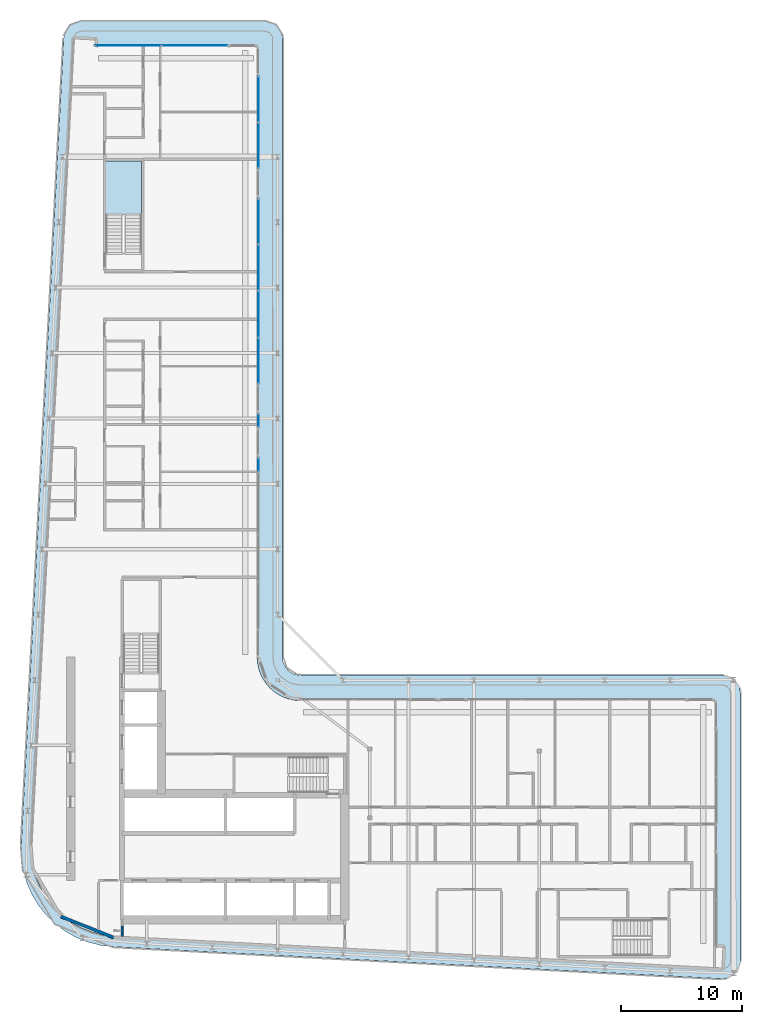
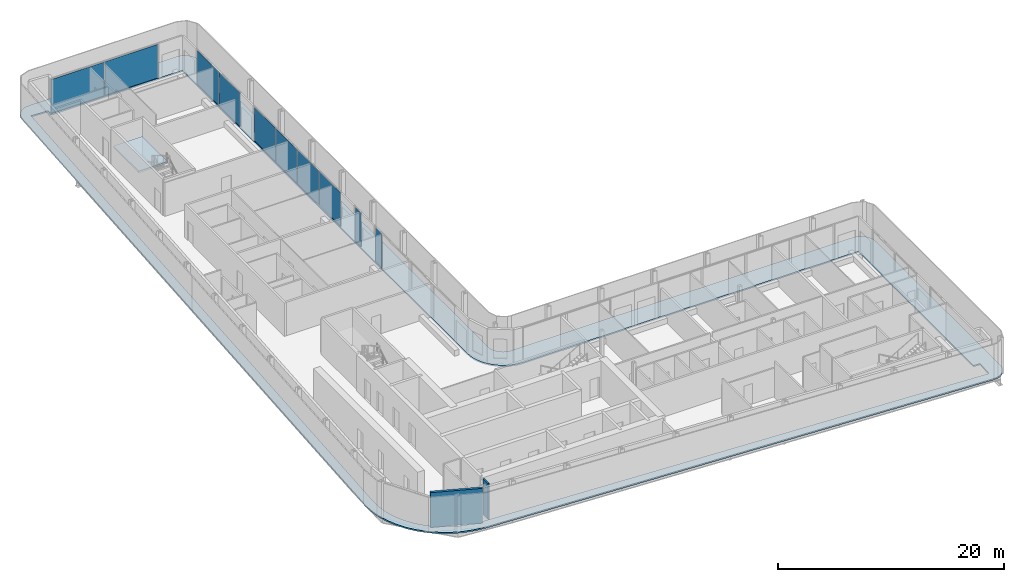
# One storey, part 9 of 23: 10 plates, 2 slabs, 2 walls, 7 elements without a shape of their own.
"""IFC4 building model written with IfcOpenShell, lengths in metres."""

from ifc_helpers import new_model, si_unit, direction, frame, frame_2d, origin, origin_2d, place, context, subcontext, project, spatial, polyline, rectangle, outline, extrude, material, layer, layer_set, type_object, element, aggregate, save


model = new_model("IFC4")

# Units and contexts
model_context = context("Model", 3, precision=1e-05, world=origin(), true_north=direction((0.0, 1.0)))
body_context = subcontext(model_context, "Body", "Model", "MODEL_VIEW")
ifc_project = project(units=[si_unit("LENGTHUNIT", "METRE"), si_unit("AREAUNIT", "SQUARE_METRE"), si_unit("VOLUMEUNIT", "CUBIC_METRE"), si_unit("PLANEANGLEUNIT", "RADIAN"), si_unit("MASSUNIT", "GRAM", prefix="KILO")], contexts=[model_context])

# Site, building, storey
site_placement = place(None, origin())
site = spatial("IfcSite", under=ifc_project, at=site_placement, CompositionType="ELEMENT")
building_placement = place(site_placement, origin())
building = spatial("IfcBuilding", under=site, at=building_placement, Name="Kheshtan School and Residences Tower", CompositionType="ELEMENT")
storey_placement = place(building_placement, frame((0.0, 0.0, 247.39990234375)))
storey = spatial("IfcBuildingStorey", under=building, at=storey_placement, Name="L58", CompositionType="ELEMENT", Elevation=247.39990234375)

# Curtain wall, plates
ifc_material_1 = material(Name="Clear low-e glass in thermally broken aluminium frame", Category="aluminium")
ifc_layer_1 = layer(ifc_material_1, 0.199951171875)
ifc_layer_set_1 = layer_set([ifc_layer_1], Name="Curtain wall CW-L")
curtain_wall_type = type_object("IfcCurtainWallType", Name="Curtain wall CW-L", PredefinedType="NOTDEFINED", material=ifc_layer_set_1)
curtain_wall_1_placement = place(storey_placement, origin())
curtain_wall_1 = element("IfcCurtainWall", 1, at=curtain_wall_1_placement, inside=storey, type_object=curtain_wall_type, Name="Curtain wall CWL7", PredefinedType="NOTDEFINED")
ifc_layer_2 = layer(ifc_material_1, 0.031982421875)
ifc_layer_set_2 = layer_set([ifc_layer_2], Name="CW-L glass panel")
plate_type = type_object("IfcPlateType", Name="CW-L glass panel", PredefinedType="CURTAIN_PANEL", material=ifc_layer_set_2)
plate_1_placement = place(storey_placement, frame((35.259033203125, 98.0, 0.000244140625), z_axis=(0.0, 0.0, 1.0), x_axis=(1.0, 0.0, 0.0)))
plate_1 = element("IfcPlate", 2, at=plate_1_placement, type_object=plate_type, Name="CWL7 panel 1.1", PredefinedType="CURTAIN_PANEL", context=body_context, shape_type="SweptSolid", body=[
    extrude(rectangle(XDim=5.4140625, YDim=0.031982421875, at=origin_2d()), origin(), (0.0, 0.0, 1.0), 3.6298828125),
])
plate_2_placement = place(storey_placement, frame((40.73291015625, 98.0, 0.000244140625), z_axis=(0.0, 0.0, 1.0), x_axis=(1.0, 0.0, 0.0)))
plate_2 = element("IfcPlate", 3, at=plate_2_placement, type_object=plate_type, Name="CWL7 panel 2.1", PredefinedType="CURTAIN_PANEL", context=body_context, shape_type="SweptSolid", body=[
    extrude(rectangle(XDim=5.4140625, YDim=0.031982421875, at=origin_2d()), origin(), (0.0, 0.0, 1.0), 3.6298828125),
])
aggregate(curtain_wall_1, [plate_1, plate_2])

curtain_wall_2_placement = place(storey_placement, origin())
curtain_wall_2 = element("IfcCurtainWall", 4, at=curtain_wall_2_placement, inside=storey, type_object=curtain_wall_type, Name="Curtain wall CWL8", PredefinedType="NOTDEFINED")
plate_3_placement = place(storey_placement, frame((46.0, 93.5615234375, 0.000244140625), z_axis=(0.0, 0.0, 1.0), x_axis=(0.0, -1.0, 0.0)))
plate_3 = element("IfcPlate", 5, at=plate_3_placement, type_object=plate_type, Name="CWL8 panel 1.1", PredefinedType="CURTAIN_PANEL", context=body_context, shape_type="SweptSolid", body=[
    extrude(rectangle(XDim=3.757080078125, YDim=0.031982421875, at=origin_2d()), origin(), (0.0, 0.0, 1.0), 3.6298828125),
])
plate_4_placement = place(storey_placement, frame((46.0, 89.744384765625, 0.000244140625), z_axis=(0.0, 0.0, 1.0), x_axis=(0.0, -1.0, 0.0)))
plate_4 = element("IfcPlate", 6, at=plate_4_placement, type_object=plate_type, Name="CWL8 panel 2.1", PredefinedType="CURTAIN_PANEL", context=body_context, shape_type="SweptSolid", body=[
    extrude(rectangle(XDim=3.757080078125, YDim=0.031982421875, at=origin_2d()), origin(), (0.0, 0.0, 1.0), 3.6298828125),
])
aggregate(curtain_wall_2, [plate_3, plate_4])

curtain_wall_3_placement = place(storey_placement, origin())
curtain_wall_3 = element("IfcCurtainWall", 7, at=curtain_wall_3_placement, inside=storey, type_object=curtain_wall_type, Name="Curtain wall CWL8", PredefinedType="NOTDEFINED")
plate_5_placement = place(storey_placement, frame((46.0, 83.467529296875, 0.000244140625), z_axis=(0.0, 0.0, 1.0), x_axis=(0.0, -1.0, 0.0)))
plate_5 = element("IfcPlate", 8, at=plate_5_placement, type_object=plate_type, Name="CWL8 panel 1.1", PredefinedType="CURTAIN_PANEL", context=body_context, shape_type="SweptSolid", body=[
    extrude(rectangle(XDim=3.757080078125, YDim=0.031982421875, at=origin_2d()), origin(), (0.0, 0.0, 1.0), 3.6298828125),
])
plate_6_placement = place(storey_placement, frame((46.0, 79.650390625, 0.000244140625), z_axis=(0.0, 0.0, 1.0), x_axis=(0.0, -1.0, 0.0)))
plate_6 = element("IfcPlate", 9, at=plate_6_placement, type_object=plate_type, Name="CWL8 panel 2.1", PredefinedType="CURTAIN_PANEL", context=body_context, shape_type="SweptSolid", body=[
    extrude(rectangle(XDim=3.757080078125, YDim=0.031982421875, at=origin_2d()), origin(), (0.0, 0.0, 1.0), 3.6298828125),
])
aggregate(curtain_wall_3, [plate_5, plate_6])

curtain_wall_4_placement = place(storey_placement, origin())
curtain_wall_4 = element("IfcCurtainWall", 10, at=curtain_wall_4_placement, inside=storey, type_object=curtain_wall_type, Name="Curtain wall CWL8", PredefinedType="NOTDEFINED")
plate_7_placement = place(storey_placement, frame((46.0, 75.803466796875, 0.000244140625), z_axis=(0.0, 0.0, 1.0), x_axis=(0.0, -1.0, 0.0)))
plate_7 = element("IfcPlate", 11, at=plate_7_placement, type_object=plate_type, Name="CWL8 panel 1.1", PredefinedType="CURTAIN_PANEL", context=body_context, shape_type="SweptSolid", body=[
    extrude(rectangle(XDim=3.81689453125, YDim=0.031982421875, at=origin_2d()), origin(), (0.0, 0.0, 1.0), 3.6298828125),
])
plate_8_placement = place(storey_placement, frame((46.0, 71.95654296875, 0.000244140625), z_axis=(0.0, 0.0, 1.0), x_axis=(0.0, -1.0, 0.0)))
plate_8 = element("IfcPlate", 12, at=plate_8_placement, type_object=plate_type, Name="CWL8 panel 2.1", PredefinedType="CURTAIN_PANEL", context=body_context, shape_type="SweptSolid", body=[
    extrude(rectangle(XDim=3.757080078125, YDim=0.031982421875, at=origin_2d()), origin(), (0.0, 0.0, 1.0), 3.6298828125),
])
aggregate(curtain_wall_4, [plate_7, plate_8])

# Curtain wall, plate
curtain_wall_5_placement = place(storey_placement, origin())
curtain_wall_5 = element("IfcCurtainWall", 13, at=curtain_wall_5_placement, inside=storey, type_object=curtain_wall_type, Name="Curtain wall CWL8g", PredefinedType="NOTDEFINED")
plate_9_placement = place(storey_placement, frame((46.0, 67.01806640625, 0.000244140625), z_axis=(0.0, 0.0, 1.0), x_axis=(0.0, -1.0, 0.0)))
plate_9 = element("IfcPlate", 14, at=plate_9_placement, type_object=plate_type, Name="CWL8g panel 1.1", PredefinedType="CURTAIN_PANEL", context=body_context, shape_type="SweptSolid", body=[
    extrude(rectangle(XDim=1.080078125, YDim=0.031982421875, at=origin_2d()), origin(), (0.0, 0.0, 1.0), 3.6298828125),
])
aggregate(curtain_wall_5, [plate_9])

curtain_wall_6_placement = place(storey_placement, origin())
curtain_wall_6 = element("IfcCurtainWall", 15, at=curtain_wall_6_placement, inside=storey, type_object=curtain_wall_type, Name="Curtain wall CWL8k", PredefinedType="NOTDEFINED")
plate_10_placement = place(storey_placement, frame((46.0, 63.39404296875, 0.000244140625), z_axis=(0.0, 0.0, 1.0), x_axis=(0.0, -1.0, 0.0)))
plate_10 = element("IfcPlate", 16, at=plate_10_placement, type_object=plate_type, Name="CWL8k panel 1.1", PredefinedType="CURTAIN_PANEL", context=body_context, shape_type="SweptSolid", body=[
    extrude(rectangle(XDim=1.1279296875, YDim=0.031982421875, at=origin_2d()), origin(), (0.0, 0.0, 1.0), 3.6298828125),
])
aggregate(curtain_wall_6, [plate_10])

# Slab
ifc_material_2 = material(Name="Concrete C40/50", Category="concrete")
ifc_layer_3 = layer(ifc_material_2, 0.14990234375)
ifc_layer_set_3 = layer_set([ifc_layer_3], Name="Loggia balcony slab 150 Concrete C40/50")
slab_type_1 = type_object("IfcSlabType", Name="Loggia balcony slab 150 Concrete C40/50", PredefinedType="FLOOR", material=ifc_layer_set_3)
slab_1_placement = place(storey_placement, frame((0.0, 0.0, -0.14990234375)))
element("IfcSlab", 17, at=slab_1_placement, inside=storey, type_object=slab_type_1, Name="Loggia balcony slab L58", PredefinedType="FLOOR", context=body_context, shape_type="SweptSolid", body=[
    extrude(outline(polyline([(28.4580078125, 26.222900390625), (28.45703125, 26.222900390625), (28.45703125, 26.22412109375), (28.4560546875, 26.22412109375), (27.81494140625, 27.0390625), (27.281005859375, 27.93798828125), (26.867919921875, 28.89990234375), (26.583984375, 29.89990234375), (26.583984375, 29.906982421875), (26.43408203125, 30.943115234375), (26.419921875, 31.989013671875), (29.925048828125, 98.5791015625), (29.930908203125, 98.626953125), (29.930908203125, 98.6279296875), (29.929931640625, 98.6279296875), (29.929931640625, 98.62890625), (29.928955078125, 98.62890625), (29.928955078125, 98.6298828125), (29.927978515625, 98.6298828125), (29.927978515625, 98.631103515625), (29.927001953125, 98.631103515625), (29.927001953125, 98.632080078125), (29.927001953125, 98.633056640625), (29.945068359375, 98.781005859375), (29.945068359375, 98.783935546875), (29.945068359375, 98.784912109375), (29.946044921875, 98.784912109375), (29.946044921875, 98.785888671875), (29.947021484375, 98.785888671875), (29.947021484375, 98.787109375), (29.947998046875, 98.787109375), (29.948974609375, 98.787109375), (29.948974609375, 98.7880859375), (29.949951171875, 98.7880859375), (29.949951171875, 98.7890625), (29.949951171875, 98.791015625), (30.0029296875, 98.98388671875), (30.083984375, 99.175048828125), (30.18896484375, 99.35302734375), (30.31103515625, 99.507080078125), (30.31201171875, 99.507080078125), (30.31201171875, 99.508056640625), (30.31298828125, 99.508056640625), (30.31298828125, 99.509033203125), (30.31396484375, 99.509033203125), (30.31396484375, 99.510009765625), (30.31494140625, 99.510009765625), (30.31494140625, 99.510986328125), (30.31591796875, 99.510986328125), (30.31591796875, 99.511962890625), (30.31689453125, 99.511962890625), (30.31689453125, 99.512939453125), (30.318115234375, 99.512939453125), (30.322021484375, 99.512939453125), (30.322998046875, 99.512939453125), (30.322998046875, 99.513916015625), (30.468017578125, 99.656982421875), (30.468994140625, 99.656982421875), (30.468994140625, 99.657958984375), (30.469970703125, 99.657958984375), (30.469970703125, 99.658935546875), (30.470947265625, 99.658935546875), (30.470947265625, 99.659912109375), (30.471923828125, 99.659912109375), (30.471923828125, 99.660888671875), (30.472900390625, 99.660888671875), (30.472900390625, 99.662109375), (30.47412109375, 99.662109375), (30.47412109375, 99.6630859375), (30.47509765625, 99.6630859375), (30.47509765625, 99.6640625), (30.635986328125, 99.777099609375), (30.820068359375, 99.873046875), (31.007080078125, 99.943115234375), (31.013916015625, 99.943115234375), (31.217041015625, 99.986083984375), (31.423095703125, 100.0), (46.5, 100.0), (46.696044921875, 99.987060546875), (46.887939453125, 99.948974609375), (46.89501953125, 99.948974609375), (47.073974609375, 99.885986328125), (47.242919921875, 99.801025390625), (47.243896484375, 99.801025390625), (47.2470703125, 99.801025390625), (47.248046875, 99.801025390625), (47.248046875, 99.802001953125), (47.2490234375, 99.802001953125), (47.2490234375, 99.802978515625), (47.25, 99.802978515625), (47.2529296875, 99.802978515625), (47.25390625, 99.802978515625), (47.25390625, 99.802001953125), (47.2548828125, 99.802001953125), (47.2548828125, 99.801025390625), (47.256103515625, 99.801025390625), (47.256103515625, 99.800048828125), (47.257080078125, 99.800048828125), (47.257080078125, 99.799072265625), (47.258056640625, 99.799072265625), (47.258056640625, 99.798095703125), (47.412109375, 99.696044921875), (47.4130859375, 99.696044921875), (47.4130859375, 99.695068359375), (47.4140625, 99.695068359375), (47.4140625, 99.694091796875), (47.4140625, 99.68994140625), (47.4140625, 99.68896484375), (47.4150390625, 99.68896484375), (47.4150390625, 99.68798828125), (47.416015625, 99.68798828125), (47.416015625, 99.68701171875), (47.4169921875, 99.68701171875), (47.4169921875, 99.68603515625), (47.554931640625, 99.568115234375), (47.554931640625, 99.56689453125), (47.555908203125, 99.56689453125), (47.555908203125, 99.56591796875), (47.556884765625, 99.56591796875), (47.556884765625, 99.56494140625), (47.55810546875, 99.56494140625), (47.55810546875, 99.56396484375), (47.55908203125, 99.56396484375), (47.55908203125, 99.56298828125), (47.56005859375, 99.56298828125), (47.56005859375, 99.56201171875), (47.56103515625, 99.56201171875), (47.56201171875, 99.56103515625), (47.56201171875, 99.56005859375), (47.56298828125, 99.56005859375), (47.56298828125, 99.55908203125), (47.56396484375, 99.55908203125), (47.56396484375, 99.55810546875), (47.56494140625, 99.55810546875), (47.56494140625, 99.556884765625), (47.56591796875, 99.556884765625), (47.56591796875, 99.555908203125), (47.56689453125, 99.555908203125), (47.56689453125, 99.554931640625), (47.568115234375, 99.554931640625), (47.68505859375, 99.41796875), (47.68603515625, 99.41796875), (47.68603515625, 99.4169921875), (47.68701171875, 99.4169921875), (47.68701171875, 99.416015625), (47.68798828125, 99.416015625), (47.68798828125, 99.4150390625), (47.68896484375, 99.4150390625), (47.68896484375, 99.4140625), (47.68994140625, 99.4140625), (47.694091796875, 99.4140625), (47.695068359375, 99.4140625), (47.695068359375, 99.4130859375), (47.696044921875, 99.4130859375), (47.696044921875, 99.412109375), (47.797119140625, 99.259033203125), (47.798095703125, 99.259033203125), (47.798095703125, 99.258056640625), (47.799072265625, 99.258056640625), (47.799072265625, 99.257080078125), (47.800048828125, 99.257080078125), (47.800048828125, 99.256103515625), (47.801025390625, 99.256103515625), (47.801025390625, 99.2548828125), (47.802001953125, 99.2548828125), (47.802001953125, 99.25390625), (47.802978515625, 99.25390625), (47.802978515625, 99.2529296875), (47.802978515625, 99.25), (47.802978515625, 99.2490234375), (47.802001953125, 99.2490234375), (47.802001953125, 99.248046875), (47.801025390625, 99.248046875), (47.801025390625, 99.2470703125), (47.801025390625, 99.242919921875), (47.801025390625, 99.241943359375), (47.885986328125, 99.073974609375), (47.948974609375, 98.89501953125), (47.948974609375, 98.887939453125), (47.987060546875, 98.696044921875), (48.0, 98.5), (48.0, 47.5), (48.012939453125, 47.303955078125), (48.051025390625, 47.113037109375), (48.051025390625, 47.10693359375), (48.051025390625, 47.10595703125), (48.114013671875, 46.926025390625), (48.200927734375, 46.75), (48.31005859375, 46.5869140625), (48.431884765625, 46.444091796875), (48.43310546875, 46.444091796875), (48.43310546875, 46.443115234375), (48.43408203125, 46.443115234375), (48.43408203125, 46.44189453125), (48.43505859375, 46.44189453125), (48.43505859375, 46.44091796875), (48.43603515625, 46.44091796875), (48.43603515625, 46.43994140625), (48.43701171875, 46.43994140625), (48.43701171875, 46.43896484375), (48.43798828125, 46.43896484375), (48.43896484375, 46.43798828125), (48.43896484375, 46.43701171875), (48.43994140625, 46.43701171875), (48.43994140625, 46.43603515625), (48.44091796875, 46.43603515625), (48.44091796875, 46.43505859375), (48.44189453125, 46.43505859375), (48.44189453125, 46.43408203125), (48.443115234375, 46.43408203125), (48.443115234375, 46.43310546875), (48.444091796875, 46.43310546875), (48.444091796875, 46.431884765625), (48.5869140625, 46.31005859375), (48.75, 46.200927734375), (48.926025390625, 46.114013671875), (49.10595703125, 46.051025390625), (49.10693359375, 46.051025390625), (49.113037109375, 46.051025390625), (49.303955078125, 46.012939453125), (49.5, 46.0), (84.300048828125, 46.0), (84.49609375, 45.987060546875), (84.68798828125, 45.948974609375), (84.695068359375, 45.948974609375), (84.8740234375, 45.885986328125), (85.0419921875, 45.801025390625), (85.04296875, 45.801025390625), (85.047119140625, 45.801025390625), (85.048095703125, 45.801025390625), (85.048095703125, 45.802001953125), (85.049072265625, 45.802001953125), (85.049072265625, 45.802978515625), (85.050048828125, 45.802978515625), (85.052978515625, 45.802978515625), (85.053955078125, 45.802978515625), (85.053955078125, 45.802001953125), (85.054931640625, 45.802001953125), (85.054931640625, 45.801025390625), (85.055908203125, 45.801025390625), (85.055908203125, 45.800048828125), (85.056884765625, 45.800048828125), (85.056884765625, 45.799072265625), (85.05810546875, 45.799072265625), (85.05810546875, 45.798095703125), (85.05908203125, 45.798095703125), (85.05908203125, 45.797119140625), (85.06005859375, 45.797119140625), (85.06005859375, 45.7958984375), (85.2119140625, 45.696044921875), (85.212890625, 45.696044921875), (85.212890625, 45.695068359375), (85.214111328125, 45.695068359375), (85.214111328125, 45.694091796875), (85.214111328125, 45.68994140625), (85.214111328125, 45.68896484375), (85.215087890625, 45.68896484375), (85.215087890625, 45.68798828125), (85.216064453125, 45.68798828125), (85.216064453125, 45.68701171875), (85.217041015625, 45.68701171875), (85.217041015625, 45.68603515625), (85.218017578125, 45.68603515625), (85.218017578125, 45.68505859375), (85.218994140625, 45.68505859375), (85.218994140625, 45.68408203125), (85.35498046875, 45.568115234375), (85.35498046875, 45.56689453125), (85.35595703125, 45.56689453125), (85.35595703125, 45.56591796875), (85.35693359375, 45.56591796875), (85.35693359375, 45.56494140625), (85.35791015625, 45.56494140625), (85.35791015625, 45.56396484375), (85.35888671875, 45.56396484375), (85.35888671875, 45.56298828125), (85.360107421875, 45.56298828125), (85.360107421875, 45.56201171875), (85.361083984375, 45.56201171875), (85.362060546875, 45.56103515625), (85.362060546875, 45.56005859375), (85.363037109375, 45.56005859375), (85.363037109375, 45.55908203125), (85.364013671875, 45.55908203125), (85.364013671875, 45.55810546875), (85.364990234375, 45.55810546875), (85.364990234375, 45.556884765625), (85.365966796875, 45.556884765625), (85.365966796875, 45.555908203125), (85.366943359375, 45.555908203125), (85.366943359375, 45.554931640625), (85.367919921875, 45.554931640625), (85.48193359375, 45.4208984375), (85.48291015625, 45.4208984375), (85.48291015625, 45.419921875), (85.48388671875, 45.419921875), (85.48388671875, 45.4189453125), (85.485107421875, 45.4189453125), (85.485107421875, 45.41796875), (85.486083984375, 45.41796875), (85.486083984375, 45.4169921875), (85.487060546875, 45.4169921875), (85.487060546875, 45.416015625), (85.488037109375, 45.416015625), (85.488037109375, 45.4150390625), (85.489013671875, 45.4150390625), (85.489013671875, 45.4140625), (85.489990234375, 45.4140625), (85.493896484375, 45.4140625), (85.4951171875, 45.4140625), (85.4951171875, 45.4130859375), (85.49609375, 45.4130859375), (85.49609375, 45.412109375), (85.593994140625, 45.261962890625), (85.594970703125, 45.261962890625), (85.594970703125, 45.260986328125), (85.595947265625, 45.260986328125), (85.595947265625, 45.260009765625), (85.596923828125, 45.260009765625), (85.596923828125, 45.259033203125), (85.597900390625, 45.259033203125), (85.597900390625, 45.258056640625), (85.59912109375, 45.258056640625), (85.59912109375, 45.257080078125), (85.60009765625, 45.257080078125), (85.60009765625, 45.256103515625), (85.60107421875, 45.256103515625), (85.60107421875, 45.2548828125), (85.60205078125, 45.2548828125), (85.60205078125, 45.25390625), (85.60302734375, 45.25390625), (85.60302734375, 45.2529296875), (85.60302734375, 45.25), (85.60302734375, 45.2490234375), (85.60205078125, 45.2490234375), (85.60205078125, 45.248046875), (85.60107421875, 45.248046875), (85.60107421875, 45.2470703125), (85.60107421875, 45.240966796875), (85.60107421875, 45.239990234375), (85.68603515625, 45.073974609375), (85.7490234375, 44.89501953125), (85.7490234375, 44.887939453125), (85.787109375, 44.696044921875), (85.800048828125, 44.5), (85.800048828125, 22.43408203125), (85.785888671875, 22.23095703125), (85.7451171875, 22.032958984375), (85.7451171875, 22.02587890625), (85.677978515625, 21.841064453125), (85.5859375, 21.660888671875), (85.470947265625, 21.49609375), (85.470947265625, 21.4951171875), (85.470947265625, 21.493896484375), (85.470947265625, 21.492919921875), (85.471923828125, 21.492919921875), (85.471923828125, 21.491943359375), (85.471923828125, 21.489990234375), (85.471923828125, 21.489013671875), (85.470947265625, 21.489013671875), (85.470947265625, 21.488037109375), (85.337890625, 21.343994140625), (85.3349609375, 21.341064453125), (85.333984375, 21.341064453125), (85.333984375, 21.340087890625), (85.3330078125, 21.340087890625), (85.3310546875, 21.340087890625), (85.330078125, 21.340087890625), (85.330078125, 21.341064453125), (85.3291015625, 21.341064453125), (85.327880859375, 21.341064453125), (85.326904296875, 21.341064453125), (85.176025390625, 21.216064453125), (85.00390625, 21.10888671875), (84.819091796875, 21.02587890625), (84.631103515625, 20.968994140625), (84.6240234375, 20.968994140625), (84.424072265625, 20.93896484375), (84.220947265625, 20.93603515625), (33.989013671875, 23.580078125), (33.94189453125, 23.5859375), (33.94091796875, 23.5859375), (33.93994140625, 23.5859375), (33.93994140625, 23.5849609375), (33.93896484375, 23.5849609375), (33.93896484375, 23.583984375), (33.93798828125, 23.583984375), (33.93798828125, 23.5830078125), (33.93701171875, 23.5830078125), (33.93701171875, 23.58203125), (33.93603515625, 23.58203125), (33.93505859375, 23.58203125), (32.952880859375, 23.697998046875), (32.949951171875, 23.697998046875), (32.948974609375, 23.697998046875), (32.948974609375, 23.698974609375), (32.947998046875, 23.698974609375), (32.947998046875, 23.699951171875), (32.947021484375, 23.699951171875), (32.947021484375, 23.700927734375), (32.947021484375, 23.702880859375), (32.947021484375, 23.7041015625), (32.946044921875, 23.7041015625), (32.946044921875, 23.705078125), (32.945068359375, 23.705078125), (32.944091796875, 23.705078125), (31.93603515625, 23.9609375), (31.928955078125, 23.9609375), (30.964111328125, 24.34912109375), (30.051025390625, 24.860107421875), (29.218994140625, 25.47900390625), (29.218994140625, 25.47998046875), (29.218017578125, 25.47998046875), (29.218017578125, 25.48095703125), (29.217041015625, 25.48095703125), (29.217041015625, 25.48193359375), (29.216064453125, 25.48193359375), (29.216064453125, 25.48291015625), (29.215087890625, 25.48291015625), (29.215087890625, 25.48388671875), (29.214111328125, 25.48388671875), (29.214111328125, 25.485107421875), (29.212890625, 25.485107421875), (29.212890625, 25.486083984375), (29.2119140625, 25.486083984375), (28.468017578125, 26.217041015625), (28.468017578125, 26.218017578125), (28.467041015625, 26.218017578125), (28.462890625, 26.218017578125), (28.4619140625, 26.218017578125), (28.4619140625, 26.218994140625), (28.4609375, 26.218994140625), (28.4609375, 26.219970703125), (28.4599609375, 26.219970703125), (28.4599609375, 26.220947265625), (28.458984375, 26.220947265625), (28.458984375, 26.221923828125), (28.4580078125, 26.221923828125), (28.4580078125, 26.222900390625)]), holes=[polyline([(29.12890625, 26.824951171875), (29.12890625, 26.823974609375), (29.1298828125, 26.823974609375), (29.1298828125, 26.822998046875), (29.131103515625, 26.822998046875), (29.131103515625, 26.822021484375), (29.132080078125, 26.822021484375), (29.132080078125, 26.821044921875), (29.133056640625, 26.821044921875), (29.133056640625, 26.820068359375), (29.134033203125, 26.820068359375), (29.7939453125, 26.173095703125), (29.7939453125, 26.172119140625), (29.794921875, 26.172119140625), (29.798095703125, 26.172119140625), (29.799072265625, 26.172119140625), (29.799072265625, 26.1708984375), (29.800048828125, 26.1708984375), (29.800048828125, 26.169921875), (29.801025390625, 26.169921875), (29.801025390625, 26.1689453125), (29.802001953125, 26.1689453125), (29.802001953125, 26.16796875), (29.802978515625, 26.16796875), (29.802978515625, 26.1669921875), (29.803955078125, 26.1669921875), (29.803955078125, 26.166015625), (30.541015625, 25.616943359375), (31.35205078125, 25.1630859375), (32.208984375, 24.819091796875), (32.2099609375, 24.819091796875), (32.216064453125, 24.819091796875), (33.114990234375, 24.590087890625), (34.06591796875, 24.47705078125), (84.238037109375, 21.8359375), (84.264892578125, 21.8369140625), (84.26611328125, 21.8369140625), (84.26708984375, 21.8369140625), (84.26708984375, 21.837890625), (84.26806640625, 21.837890625), (84.26806640625, 21.839111328125), (84.26806640625, 21.840087890625), (84.35791015625, 23.529052734375), (84.35791015625, 23.530029296875), (84.35791015625, 23.531005859375), (84.35693359375, 23.531005859375), (84.35693359375, 23.531982421875), (84.35595703125, 23.531982421875), (84.35498046875, 23.531982421875), (83.700927734375, 23.56689453125), (83.699951171875, 23.56689453125), (83.699951171875, 23.568115234375), (83.699951171875, 43.89794921875), (83.699951171875, 43.89892578125), (83.698974609375, 43.89892578125), (83.698974609375, 43.89990234375), (83.697998046875, 43.89990234375), (49.429931640625, 43.89990234375), (49.030029296875, 43.927001953125), (48.569091796875, 44.01806640625), (48.56201171875, 44.01806640625), (48.1201171875, 44.169921875), (47.697021484375, 44.37890625), (47.30810546875, 44.638916015625), (46.95703125, 44.944091796875), (46.95703125, 44.945068359375), (46.9560546875, 44.945068359375), (46.9560546875, 44.946044921875), (46.955078125, 44.946044921875), (46.955078125, 44.947021484375), (46.9541015625, 44.947021484375), (46.9541015625, 44.947998046875), (46.952880859375, 44.947998046875), (46.952880859375, 44.948974609375), (46.951904296875, 44.948974609375), (46.951904296875, 44.949951171875), (46.951904296875, 44.950927734375), (46.950927734375, 44.950927734375), (46.950927734375, 44.951904296875), (46.949951171875, 44.951904296875), (46.948974609375, 44.951904296875), (46.948974609375, 44.952880859375), (46.947998046875, 44.952880859375), (46.947998046875, 44.9541015625), (46.947021484375, 44.9541015625), (46.947021484375, 44.955078125), (46.946044921875, 44.955078125), (46.946044921875, 44.9560546875), (46.945068359375, 44.9560546875), (46.945068359375, 44.95703125), (46.944091796875, 44.95703125), (46.638916015625, 45.30810546875), (46.37890625, 45.697021484375), (46.169921875, 46.1201171875), (46.01806640625, 46.56201171875), (46.01806640625, 46.569091796875), (45.927001953125, 47.030029296875), (45.89990234375, 47.429931640625), (45.89990234375, 97.89794921875), (45.89990234375, 97.89892578125), (45.89892578125, 97.89892578125), (45.89892578125, 97.89990234375), (45.89794921875, 97.89990234375), (32.492919921875, 97.89990234375), (32.491943359375, 97.89990234375), (32.52099609375, 98.43896484375), (32.52099609375, 98.43994140625), (32.52099609375, 98.44091796875), (32.52001953125, 98.44091796875), (32.52001953125, 98.44189453125), (32.51904296875, 98.44189453125), (32.51806640625, 98.44189453125), (30.8291015625, 98.531982421875), (30.827880859375, 98.531982421875), (30.826904296875, 98.531982421875), (30.826904296875, 98.531005859375), (30.825927734375, 98.531005859375), (30.825927734375, 98.530029296875), (30.825927734375, 98.529052734375), (30.822021484375, 98.5009765625), (27.320068359375, 31.970947265625), (27.3330078125, 31.013916015625), (27.466064453125, 30.093994140625), (27.466064453125, 30.087890625), (27.466064453125, 30.0869140625), (27.718017578125, 29.200927734375), (28.0849609375, 28.345947265625), (28.55908203125, 27.550048828125), (29.126953125, 26.825927734375), (29.1279296875, 26.825927734375), (29.1279296875, 26.824951171875), (29.12890625, 26.824951171875)])]), origin(), (0.0, 0.0, 1.0), 0.14990234375),
])

# Stair, slab
stair_type = type_object("IfcStairType", Name="Exit stair, half-turn", PredefinedType="HALF_TURN_STAIR", material=ifc_material_2)
stair_placement = place(storey_placement, origin())
stair = element("IfcStair", 18, at=stair_placement, inside=storey, type_object=stair_type, Name="L58 Protected Exit Stair ST3", PredefinedType="HALF_TURN_STAIR")
ifc_layer_4 = layer(ifc_material_2, 0.199951171875)
ifc_layer_set_4 = layer_set([ifc_layer_4], Name="Stair landing 200 Concrete C40/50")
slab_type_2 = type_object("IfcSlabType", Name="Stair landing 200 Concrete C40/50", PredefinedType="LANDING", material=ifc_layer_set_4)
slab_2_placement = place(storey_placement, frame((0.0, 0.0, 1.75)))
slab_2 = element("IfcSlab", 19, at=slab_2_placement, type_object=slab_type_2, Name="ST3 landing 1", PredefinedType="LANDING", context=body_context, shape_type="SweptSolid", body=[
    extrude(outline(polyline([(36.35009765625, 83.97998046875), (36.35009765625, 88.4599609375), (33.39990234375, 88.4599609375), (33.39990234375, 83.97998046875), (36.35009765625, 83.97998046875)])), origin(), (0.0, 0.0, 1.0), 0.2001953125),
])
aggregate(stair, [slab_2])

# Walls
ifc_material_3 = material(Name="Concrete C40/50 with ceramic cladding and mineral wool insulation", Category="concrete")
ifc_layer_5 = layer(ifc_material_3, 0.25)
ifc_layer_set_5 = layer_set([ifc_layer_5], Name="External wall 250 ceramic clad")
wall_type_1 = type_object("IfcWallType", Name="External wall 250 ceramic clad", PredefinedType="SOLIDWALL", material=ifc_layer_set_5)
wall_1_placement = place(storey_placement, frame((34.0390625, 24.35302734375, 0.0), z_axis=(0.0, 0.0, 1.0), x_axis=(-0.929352825399, 0.369192803184, 0.0)))
element("IfcWall", 20, at=wall_1_placement, inside=storey, type_object=wall_type_1, Name="External wall L58 1", PredefinedType="SOLIDWALL", context=body_context, shape_type="SweptSolid", body=[
    extrude(rectangle(XDim=4.656005859375, YDim=0.25, at=frame_2d((2.328125, 0.0))), origin(), (0.0, 0.0, 1.0), 3.75),
])
ifc_material_4 = material(Name="Fire-board shaft wall system")
ifc_layer_6 = layer(ifc_material_4, 0.14990234375)
ifc_layer_set_6 = layer_set([ifc_layer_6], Name="Service room wall 150")
wall_type_2 = type_object("IfcWallType", Name="Service room wall 150", PredefinedType="PARTITIONING", material=ifc_layer_set_6)
wall_2_placement = place(storey_placement, frame((34.75, 24.444091796875, 0.0), z_axis=(0.0, 0.0, 1.0), x_axis=(0.0, 1.0, 0.0)))
element("IfcWall", 21, at=wall_2_placement, inside=storey, type_object=wall_type_2, Name="Service room wall", PredefinedType="PARTITIONING", context=body_context, shape_type="SweptSolid", body=[
    extrude(rectangle(XDim=0.885986328125, YDim=0.14990234375, at=frame_2d((0.44287109375, 0.0))), origin(), (0.0, 0.0, 1.0), 3.900146484375),
])

save(model, "model.ifc")
